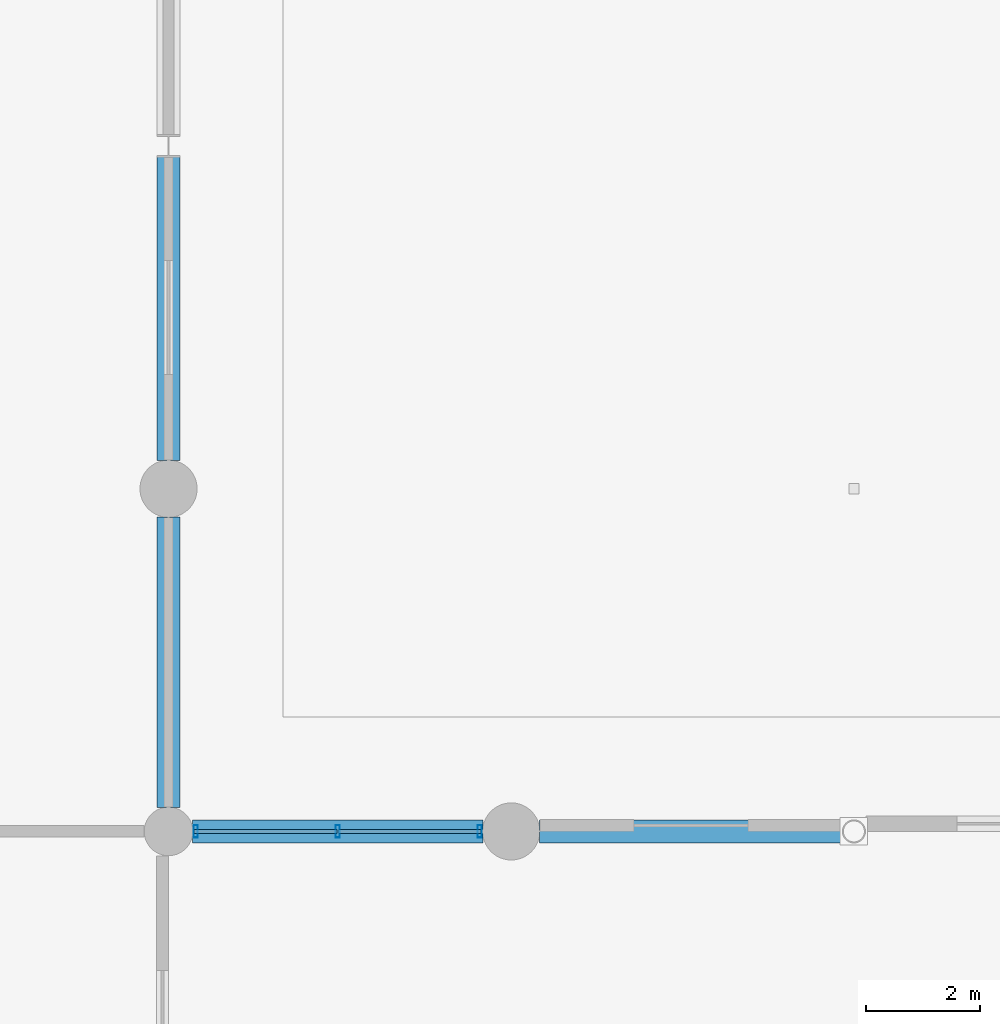
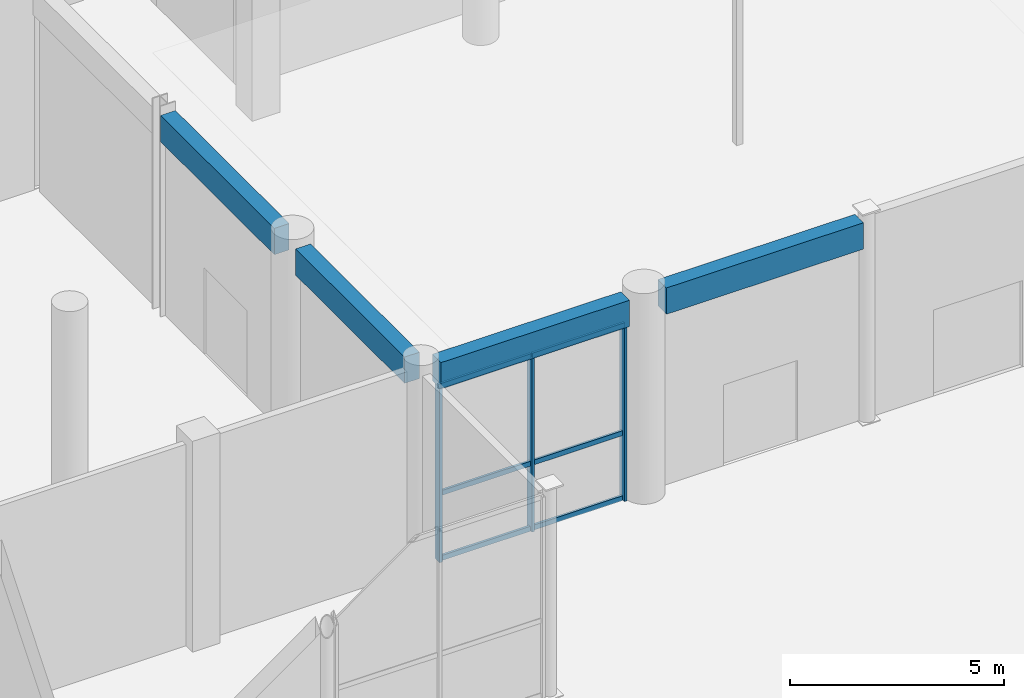
# One storey, part 23 of 106: 9 members, 4 beams, 1 element without a shape of its own.
"""IFC4 building model written with IfcOpenShell, lengths in metres."""

from ifc_helpers import new_model, si_unit, direction, frame, origin, origin_2d, place, context, subcontext, project, spatial, rectangle, hollow_rectangle, extrude, material, material_profile, profile_set, type_object, element, aggregate, save


model = new_model("IFC4")

# Units and contexts
model_context = context("Model", 3, precision=1e-05, world=origin(), true_north=direction((0.0, 1.0)))
body_context = subcontext(model_context, "Body", "Model", "MODEL_VIEW")
ifc_project = project(units=[si_unit("LENGTHUNIT", "METRE"), si_unit("AREAUNIT", "SQUARE_METRE"), si_unit("VOLUMEUNIT", "CUBIC_METRE"), si_unit("PLANEANGLEUNIT", "RADIAN"), si_unit("MASSUNIT", "GRAM", prefix="KILO"), si_unit("THERMODYNAMICTEMPERATUREUNIT", "KELVIN"), si_unit("POWERUNIT", "WATT")], contexts=[model_context])

# Site, building, storey
site_placement = place(None, origin())
site = spatial("IfcSite", under=ifc_project, at=site_placement, CompositionType="ELEMENT")
building_placement = place(site_placement, origin())
building = spatial("IfcBuilding", under=site, at=building_placement, Name="Phaisarnlok Congress Hotel", CompositionType="ELEMENT")
storey_placement = place(building_placement, origin())
storey = spatial("IfcBuildingStorey", under=building, at=storey_placement, Name="L00", CompositionType="ELEMENT", Elevation=0.0)

# Curtain wall, members
ifc_material_1 = material(Name="Thermally Broken Unitised Aluminium & Low-E Glazing", Category="aluminium")
curtain_wall_type = type_object("IfcCurtainWallType", Name="CW-UNIT-01", PredefinedType="NOTDEFINED", material=ifc_material_1)
curtain_wall_placement = place(storey_placement, origin())
curtain_wall = element("IfcCurtainWall", 1, at=curtain_wall_placement, inside=storey, type_object=curtain_wall_type, Name="Unitised curtain wall CW-01 (L00)", PredefinedType="NOTDEFINED")
ifc_material_2 = material(Name="Anodised Aluminium Alloy 6063-T6", Category="aluminium")
ifc_material_profile_1 = material_profile(ifc_material_2, hollow_rectangle(XDim=0.074951171875, YDim=0.219970703125, WallThickness=0.0048828125, at=origin_2d()), Name="ALU-M 75x220x5")
ifc_profile_set_1 = profile_set([ifc_material_profile_1], Name="Anodised Aluminium Alloy 6063-T6")
member_type_1 = type_object("IfcMemberType", Name="CWM-220", PredefinedType="MULLION", material=ifc_profile_set_1)
member_1_placement = place(storey_placement, frame((54.47509765625, 18.0, 0.0), z_axis=(0.0, 0.0, 1.0), x_axis=(1.0, 0.0, 0.0)))
member_1 = element("IfcMember", 2, at=member_1_placement, type_object=member_type_1, Name="Curtain wall mullion CWM-02", PredefinedType="MULLION", context=body_context, shape_type="SweptSolid", body=[
    extrude(hollow_rectangle(XDim=0.074951171875, YDim=0.219970703125, WallThickness=0.0048828125, at=origin_2d()), origin(), (0.0, 0.0, 1.0), 5.010009765625),
])
member_2_placement = place(storey_placement, frame((56.96240234375, 18.0, 0.0), z_axis=(0.0, 0.0, 1.0), x_axis=(1.0, 0.0, 0.0)))
member_2 = element("IfcMember", 3, at=member_2_placement, type_object=member_type_1, Name="Curtain wall mullion CWM-02", PredefinedType="MULLION", context=body_context, shape_type="SweptSolid", body=[
    extrude(hollow_rectangle(XDim=0.074951171875, YDim=0.219970703125, WallThickness=0.0048828125, at=origin_2d()), origin(), (0.0, 0.0, 1.0), 5.010009765625),
])
member_3_placement = place(storey_placement, frame((59.449951171875, 18.0, 0.0), z_axis=(0.0, 0.0, 1.0), x_axis=(1.0, 0.0, 0.0)))
member_3 = element("IfcMember", 4, at=member_3_placement, type_object=member_type_1, Name="Curtain wall mullion CWM-02", PredefinedType="MULLION", context=body_context, shape_type="SweptSolid", body=[
    extrude(hollow_rectangle(XDim=0.074951171875, YDim=0.219970703125, WallThickness=0.0048828125, at=origin_2d()), origin(), (0.0, 0.0, 1.0), 5.010009765625),
])
ifc_material_profile_2 = material_profile(ifc_material_2, hollow_rectangle(XDim=0.06494140625, YDim=0.139892578125, WallThickness=0.00390625, at=origin_2d()), Name="ALU-T 65x140x4")
ifc_profile_set_2 = profile_set([ifc_material_profile_2], Name="Anodised Aluminium Alloy 6063-T6")
member_type_2 = type_object("IfcMemberType", Name="CWT-150", PredefinedType="USERDEFINED", material=ifc_profile_set_2)
member_4_placement = place(storey_placement, frame((54.449951171875, 18.0, 0.050048828125), z_axis=(1.0, 0.0, 0.0), x_axis=(0.0, 1.0, 0.0)))
member_4 = element("IfcMember", 5, at=member_4_placement, type_object=member_type_2, Name="Curtain wall transom CWT-01", ObjectType="TRANSOM", PredefinedType="USERDEFINED", context=body_context, shape_type="SweptSolid", body=[
    extrude(hollow_rectangle(XDim=0.06494140625, YDim=0.139892578125, WallThickness=0.00390625, at=origin_2d()), origin(), (0.0, 0.0, 1.0), 2.49755859375),
])
member_5_placement = place(storey_placement, frame((54.449951171875, 18.0, 1.90380859375), z_axis=(1.0, 0.0, 0.0), x_axis=(0.0, 1.0, 0.0)))
member_5 = element("IfcMember", 6, at=member_5_placement, type_object=member_type_2, Name="Curtain wall transom CWT-01", ObjectType="TRANSOM", PredefinedType="USERDEFINED", context=body_context, shape_type="SweptSolid", body=[
    extrude(hollow_rectangle(XDim=0.06494140625, YDim=0.139892578125, WallThickness=0.00390625, at=origin_2d()), origin(), (0.0, 0.0, 1.0), 2.49755859375),
])
member_6_placement = place(storey_placement, frame((54.449951171875, 18.0, 4.9599609375), z_axis=(1.0, 0.0, 0.0), x_axis=(0.0, 1.0, 0.0)))
member_6 = element("IfcMember", 7, at=member_6_placement, type_object=member_type_2, Name="Curtain wall transom CWT-01", ObjectType="TRANSOM", PredefinedType="USERDEFINED", context=body_context, shape_type="SweptSolid", body=[
    extrude(hollow_rectangle(XDim=0.06494140625, YDim=0.139892578125, WallThickness=0.00390625, at=origin_2d()), origin(), (0.0, 0.0, 1.0), 2.49755859375),
])
member_7_placement = place(storey_placement, frame((56.9775390625, 18.0, 0.050048828125), z_axis=(1.0, 0.0, 0.0), x_axis=(0.0, 1.0, 0.0)))
member_7 = element("IfcMember", 8, at=member_7_placement, type_object=member_type_2, Name="Curtain wall transom CWT-01", ObjectType="TRANSOM", PredefinedType="USERDEFINED", context=body_context, shape_type="SweptSolid", body=[
    extrude(hollow_rectangle(XDim=0.06494140625, YDim=0.139892578125, WallThickness=0.00390625, at=origin_2d()), origin(), (0.0, 0.0, 1.0), 2.49755859375),
])
member_8_placement = place(storey_placement, frame((56.9775390625, 18.0, 1.90380859375), z_axis=(1.0, 0.0, 0.0), x_axis=(0.0, 1.0, 0.0)))
member_8 = element("IfcMember", 9, at=member_8_placement, type_object=member_type_2, Name="Curtain wall transom CWT-01", ObjectType="TRANSOM", PredefinedType="USERDEFINED", context=body_context, shape_type="SweptSolid", body=[
    extrude(hollow_rectangle(XDim=0.06494140625, YDim=0.139892578125, WallThickness=0.00390625, at=origin_2d()), origin(), (0.0, 0.0, 1.0), 2.49755859375),
])
member_9_placement = place(storey_placement, frame((56.9775390625, 18.0, 4.9599609375), z_axis=(1.0, 0.0, 0.0), x_axis=(0.0, 1.0, 0.0)))
member_9 = element("IfcMember", 10, at=member_9_placement, type_object=member_type_2, Name="Curtain wall transom CWT-01", ObjectType="TRANSOM", PredefinedType="USERDEFINED", context=body_context, shape_type="SweptSolid", body=[
    extrude(hollow_rectangle(XDim=0.06494140625, YDim=0.139892578125, WallThickness=0.00390625, at=origin_2d()), origin(), (0.0, 0.0, 1.0), 2.49755859375),
])
aggregate(curtain_wall, [member_1, member_2, member_3, member_4, member_5, member_6, member_7, member_8, member_9])

# Beams
ifc_material_3 = material(Name="Concrete C40/50", Category="concrete")
ifc_material_profile_3 = material_profile(ifc_material_3, rectangle(XDim=0.39990234375, YDim=0.75, at=origin_2d()), Name="RC 400x750")
ifc_profile_set_3 = profile_set([ifc_material_profile_3], Name="Concrete C40/50")
beam_type = type_object("IfcBeamType", Name="SP-RC-400x750", PredefinedType="SPANDREL", material=ifc_profile_set_3)
for number, where, z_axis, x_axis, name in (
    (11, (54.419921875, 18.0, 5.385009765625), (1.0, 0.0, 0.0), (0.0, 1.0, 0.0), "Beam SP-02"),
    (12, (54.0, 18.419921875, 5.385009765625), (0.0, 1.0, 0.0), (-1.0, 0.0, 0.0), "Beam SP-02"),
):
    element("IfcBeam", number, at=place(storey_placement, frame(where, z_axis=z_axis, x_axis=x_axis)), inside=storey, type_object=beam_type, Name=name, PredefinedType="SPANDREL", context=body_context, shape_type="SweptSolid", body=[
        extrude(rectangle(XDim=0.39990234375, YDim=0.75, at=origin_2d()), origin(), (0.0, 0.0, 1.0), 5.0849609375),
    ])
beam_1_placement = place(storey_placement, frame((54.0, 24.4951171875, 5.364990234375), z_axis=(0.0, 1.0, 0.0), x_axis=(-1.0, 0.0, 0.0)))
element("IfcBeam", 13, at=beam_1_placement, inside=storey, type_object=beam_type, Name="Beam SP-02", PredefinedType="SPANDREL", context=body_context, shape_type="SweptSolid", body=[
    extrude(rectangle(XDim=0.39990234375, YDim=0.75, at=origin_2d()), origin(), (0.0, 0.0, 1.0), 5.310302734375),
])
beam_2_placement = place(storey_placement, frame((60.4951171875, 18.0, 5.385009765625), z_axis=(1.0, 0.0, 0.0), x_axis=(0.0, 1.0, 0.0)))
element("IfcBeam", 14, at=beam_2_placement, inside=storey, type_object=beam_type, Name="Beam SP-02", PredefinedType="SPANDREL", context=body_context, shape_type="SweptSolid", body=[
    extrude(rectangle(XDim=0.39990234375, YDim=0.75, at=origin_2d()), origin(), (0.0, 0.0, 1.0), 5.306640625),
])

save(model, "model.ifc")
